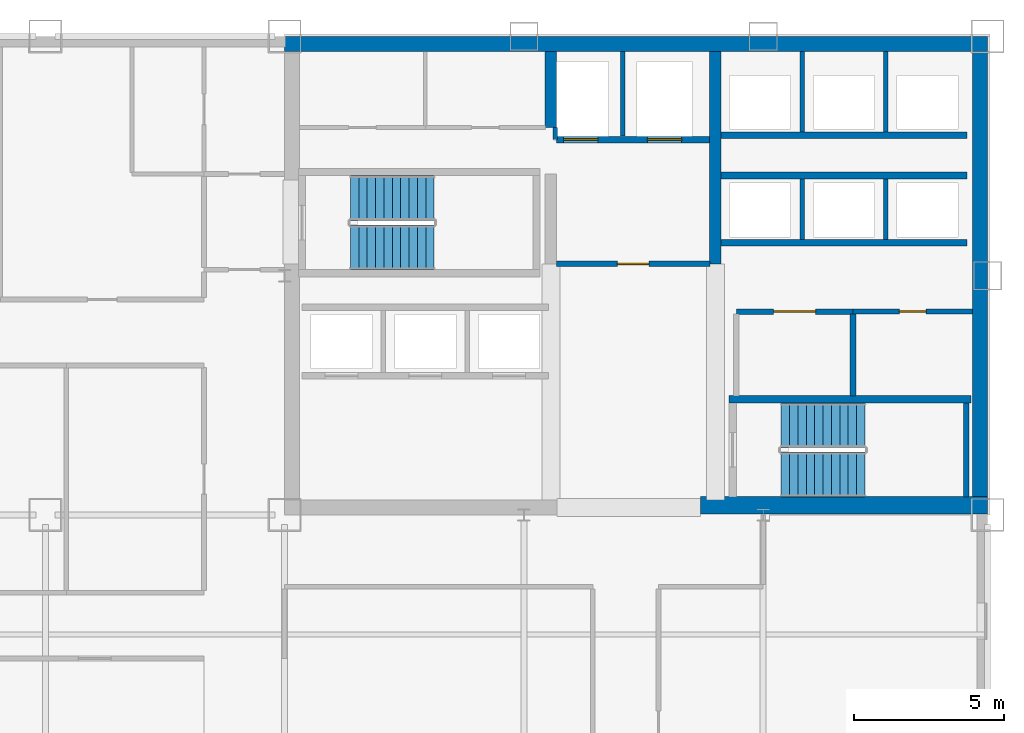
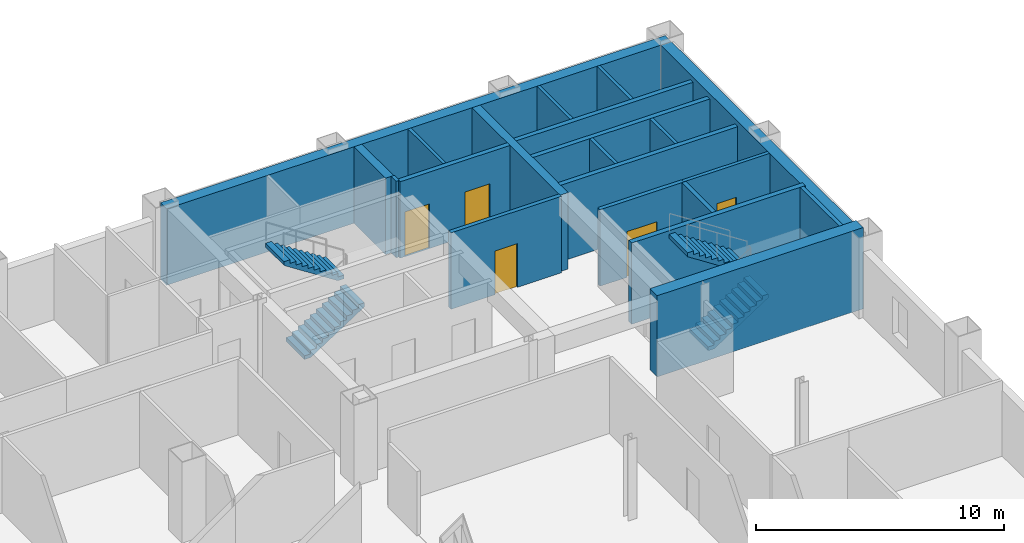
# One storey, part 8 of 10: 21 walls, 5 doors, 4 stair flights, 5 openings, 2 elements without a shape of their own.
"""IFC4 building model written with IfcOpenShell, lengths in metres."""

from ifc_helpers import new_model, si_unit, direction, frame, frame_2d, origin, place, context, subcontext, project, spatial, polyline, rectangle, outline, extrude, material, layer, layer_set, type_object, element, fill, aggregate, save


model = new_model("IFC4")

# Units and contexts
model_context = context("Model", 3, precision=1e-05, world=origin(), true_north=direction((0.0, 1.0)))
body_context = subcontext(model_context, "Body", "Model", "MODEL_VIEW")
ifc_project = project(units=[si_unit("LENGTHUNIT", "METRE"), si_unit("AREAUNIT", "SQUARE_METRE"), si_unit("VOLUMEUNIT", "CUBIC_METRE"), si_unit("PLANEANGLEUNIT", "RADIAN"), si_unit("MASSUNIT", "GRAM", prefix="KILO")], contexts=[model_context])

# Site, building, storey
site_placement = place(None, origin())
site = spatial("IfcSite", under=ifc_project, at=site_placement, CompositionType="ELEMENT")
building_placement = place(site_placement, origin())
building = spatial("IfcBuilding", under=site, at=building_placement, Name="Qianrong Seaharbour Tower", CompositionType="ELEMENT")
storey_placement = place(building_placement, frame((0.0, 0.0, 183.0)))
storey = spatial("IfcBuildingStorey", under=building, at=storey_placement, Name="L44", CompositionType="ELEMENT", Elevation=183.0)

# Walls
ifc_material_1 = material(Name="Concrete C60/75", Category="concrete")
ifc_layer_1 = layer(ifc_material_1, 0.5)
ifc_layer_set_1 = layer_set([ifc_layer_1], Name="Concrete C60/75")
wall_type_1 = type_object("IfcWallType", Name="WALL-CORE-500", PredefinedType="SHEAR", material=ifc_layer_set_1)
wall_1_placement = place(storey_placement, frame((40.5, 51.75, 0.0), z_axis=(0.0, 0.0, 1.0), x_axis=(1.0, 0.0, 0.0)))
element("IfcWall", 1, at=wall_1_placement, inside=storey, type_object=wall_type_1, Name="L44 North Core Shear Wall", PredefinedType="SHEAR", context=body_context, shape_type="SweptSolid", body=[
    extrude(rectangle(XDim=23.5, YDim=0.5, at=frame_2d((11.75, 0.0))), origin(), (0.0, 0.0, 1.0), 3.764892578125),
])
wall_2_placement = place(storey_placement, frame((63.75, 36.320068359375, 0.0), z_axis=(0.0, 0.0, 1.0), x_axis=(0.0, 1.0, 0.0)))
element("IfcWall", 2, at=wall_2_placement, inside=storey, type_object=wall_type_1, Name="L44 East Core Shear Wall", PredefinedType="SHEAR", context=body_context, shape_type="SweptSolid", body=[
    extrude(rectangle(XDim=15.179931640625, YDim=0.5, at=frame_2d((7.58984375, 0.0))), origin(), (0.0, 0.0, 1.0), 3.764892578125),
])
ifc_material_2 = material(Name="Concrete C70/85", Category="concrete")
ifc_layer_2 = layer(ifc_material_2, 0.580078125)
ifc_layer_set_2 = layer_set([ifc_layer_2], Name="Concrete C70/85")
wall_type_2 = type_object("IfcWallType", Name="WALL-CORE-580", PredefinedType="SHEAR", material=ifc_layer_set_2)
wall_3_placement = place(storey_placement, frame((54.39990234375, 36.320068359375, 0.0), z_axis=(0.0, 0.0, 1.0), x_axis=(1.0, 0.0, 0.0)))
element("IfcWall", 3, at=wall_3_placement, inside=storey, type_object=wall_type_2, Name="L44 South Core Shear Wall S3", PredefinedType="SHEAR", context=body_context, shape_type="SweptSolid", body=[
    extrude(rectangle(XDim=9.60009765625, YDim=0.580078125, at=frame_2d((4.800048828125, 0.0))), origin(), (0.0, 0.0, 1.0), 4.0),
])
ifc_layer_3 = layer(ifc_material_1, 0.3798828125)
ifc_layer_set_3 = layer_set([ifc_layer_3], Name="Concrete C60/75")
wall_type_3 = type_object("IfcWallType", Name="WALL-CORE-INT-380", PredefinedType="SHEAR", material=ifc_layer_set_3)
wall_4_placement = place(storey_placement, frame((49.39990234375, 48.949951171875, 0.0), z_axis=(0.0, 0.0, 1.0), x_axis=(0.0, 1.0, 0.0)))
element("IfcWall", 4, at=wall_4_placement, inside=storey, type_object=wall_type_3, Name="L44 Internal Core Shear Wall IW1N2", PredefinedType="SHEAR", context=body_context, shape_type="SweptSolid", body=[
    extrude(rectangle(XDim=2.550048828125, YDim=0.3798828125, at=frame_2d((1.27490234375, 0.0))), origin(), (0.0, 0.0, 1.0), 3.764892578125),
])
wall_5_placement = place(storey_placement, frame((54.89990234375, 44.39990234375, 0.0), z_axis=(0.0, 0.0, 1.0), x_axis=(0.0, 1.0, 0.0)))
element("IfcWall", 5, at=wall_5_placement, inside=storey, type_object=wall_type_3, Name="L44 Internal Core Shear Wall IW2N", PredefinedType="SHEAR", context=body_context, shape_type="SweptSolid", body=[
    extrude(rectangle(XDim=7.10009765625, YDim=0.3798828125, at=frame_2d((3.550048828125, 0.0))), origin(), (0.0, 0.0, 1.0), 3.764892578125),
])

# Wall, opening, door
ifc_material_3 = material(Name="Fire-rated acoustic gypsum board partition")
ifc_layer_4 = layer(ifc_material_3, 0.1650390625)
ifc_layer_set_4 = layer_set([ifc_layer_4], Name="Fire-rated acoustic gypsum board partition")
wall_type_4 = type_object("IfcWallType", Name="WALL-CORR-PART-165", PredefinedType="PARTITIONING", material=ifc_layer_set_4)
wall_6_placement = place(storey_placement, frame((63.5, 42.800048828125, 0.0), z_axis=(0.0, 0.0, 1.0), x_axis=(-1.0, 0.0, 0.0)))
wall_6 = element("IfcWall", 6, at=wall_6_placement, inside=storey, type_object=wall_type_4, Name="L44 Interior Partition Wall 012", PredefinedType="PARTITIONING", context=body_context, shape_type="SweptSolid", body=[
    extrude(rectangle(XDim=4.0, YDim=0.1650390625, at=frame_2d((2.0, 0.0))), origin(), (0.0, 0.0, 1.0), 3.764892578125),
])
opening_1_placement = place(wall_6_placement, frame((1.550048828125, 0.0, 0.0)))
opening_1 = element("IfcOpeningElement", 7, at=opening_1_placement, cuts=wall_6, Name="Opening DS-01", PredefinedType="OPENING", context=body_context, shape_type="SweptSolid", body=[
    extrude(rectangle(XDim=0.89990234375, YDim=2.14990234375, at=frame_2d((0.449951171875, 1.074951171875))), frame((0.0, 0.092529296875, 0.0), z_axis=(0.0, -1.0, 0.0), x_axis=(1.0, 0.0, 0.0)), (0.0, 0.0, 1.0), 0.18505859375),
])
ifc_material_4 = material(Name="Acoustic timber and galvanized steel fire door assembly", Category="steel")
door_type_1 = type_object("IfcDoorType", Name="DOOR-STORE-900x2150", OperationType="NOTDEFINED", PredefinedType="DOOR", material=ifc_material_4)
door_1_placement = place(opening_1_placement, origin())
door_1 = element("IfcDoor", 8, at=door_1_placement, inside=storey, type_object=door_type_1, Name="L44 Cleaner Store Room Door", OperationType="SINGLE_SWING_RIGHT", OverallHeight=2.14990234375, OverallWidth=0.89990234375, PredefinedType="DOOR", context=body_context, shape_type="SweptSolid", body=[
    extrude(rectangle(XDim=0.89990234375, YDim=2.14990234375, at=frame_2d((0.449951171875, 1.074951171875))), frame((0.0, 0.02490234375, 0.0), z_axis=(0.0, -1.0, 0.0), x_axis=(1.0, 0.0, 0.0)), (0.0, 0.0, 1.0), 0.050048828125),
])
fill(opening_1, door_1)

ifc_material_5 = material(Name="Double fire-rated gypsum board acoustic partition")
ifc_layer_5 = layer(ifc_material_5, 0.18994140625)
ifc_layer_set_5 = layer_set([ifc_layer_5], Name="Double fire-rated gypsum board acoustic partition")
wall_type_5 = type_object("IfcWallType", Name="WALL-FIRE-PART-190", PredefinedType="PARTITIONING", material=ifc_layer_set_5)
wall_7_placement = place(storey_placement, frame((54.718017578125, 44.39990234375, 0.0), z_axis=(0.0, 0.0, 1.0), x_axis=(-1.0, 0.0, 0.0)))
wall_7 = element("IfcWall", 9, at=wall_7_placement, inside=storey, type_object=wall_type_5, Name="L44 Interior Partition Wall 009", PredefinedType="PARTITIONING", context=body_context, shape_type="SweptSolid", body=[
    extrude(rectangle(XDim=5.135986328125, YDim=0.18994140625, at=frame_2d((2.56787109375, 0.0))), origin(), (0.0, 0.0, 1.0), 3.764892578125),
])
opening_2_placement = place(wall_7_placement, frame((2.04296875, 0.0, 0.0)))
opening_2 = element("IfcOpeningElement", 10, at=opening_2_placement, cuts=wall_7, Name="Opening DC-01", PredefinedType="OPENING", context=body_context, shape_type="SweptSolid", body=[
    extrude(rectangle(XDim=1.050048828125, YDim=2.14990234375, at=frame_2d((0.52490234375, 1.074951171875))), frame((0.0, 0.10498046875, 0.0), z_axis=(0.0, -1.0, 0.0), x_axis=(1.0, 0.0, 0.0)), (0.0, 0.0, 1.0), 0.2099609375),
])
door_type_2 = type_object("IfcDoorType", Name="DOOR-CORR-FD60-1050x2150", OperationType="NOTDEFINED", PredefinedType="DOOR", material=ifc_material_4)
door_2_placement = place(opening_2_placement, origin())
door_2 = element("IfcDoor", 11, at=door_2_placement, inside=storey, type_object=door_type_2, Name="L44 Firefighting Lift Lobby Door", OperationType="SINGLE_SWING_LEFT", OverallHeight=2.14990234375, OverallWidth=1.050048828125, PredefinedType="DOOR", context=body_context, shape_type="SweptSolid", body=[
    extrude(rectangle(XDim=1.050048828125, YDim=2.14990234375, at=frame_2d((0.52490234375, 1.074951171875))), frame((0.0, 0.02490234375, 0.0), z_axis=(0.0, -1.0, 0.0), x_axis=(1.0, 0.0, 0.0)), (0.0, 0.0, 1.0), 0.050048828125),
])
fill(opening_2, door_2)

wall_8_placement = place(storey_placement, frame((59.5, 42.800048828125, 0.0), z_axis=(0.0, 0.0, 1.0), x_axis=(-1.0, 0.0, 0.0)))
wall_8 = element("IfcWall", 12, at=wall_8_placement, inside=storey, type_object=wall_type_5, Name="L44 Interior Partition Wall 011", PredefinedType="PARTITIONING", context=body_context, shape_type="SweptSolid", body=[
    extrude(rectangle(XDim=3.89990234375, YDim=0.18994140625, at=frame_2d((1.949951171875, 0.0))), origin(), (0.0, 0.0, 1.0), 3.764892578125),
])
opening_3_placement = place(wall_8_placement, frame((1.25, 0.0, 0.0)))
opening_3 = element("IfcOpeningElement", 13, at=opening_3_placement, cuts=wall_8, Name="Opening DP-01", PredefinedType="OPENING", context=body_context, shape_type="SweptSolid", body=[
    extrude(rectangle(XDim=1.39990234375, YDim=2.25, at=frame_2d((0.699951171875, 1.125))), frame((0.0, 0.10498046875, 0.0), z_axis=(0.0, -1.0, 0.0), x_axis=(1.0, 0.0, 0.0)), (0.0, 0.0, 1.0), 0.2099609375),
])
door_type_3 = type_object("IfcDoorType", Name="DOOR-PLANT-PAIR-1400x2250", OperationType="DOUBLE_DOOR_SINGLE_SWING", PredefinedType="DOOR", material=ifc_material_4)
door_3_placement = place(opening_3_placement, origin())
door_3 = element("IfcDoor", 14, at=door_3_placement, inside=storey, type_object=door_type_3, Name="L44 Electrical Substation Door", OperationType="DOUBLE_DOOR_SINGLE_SWING", OverallHeight=2.25, OverallWidth=1.39990234375, PredefinedType="DOOR", context=body_context, shape_type="SweptSolid", body=[
    extrude(rectangle(XDim=1.39990234375, YDim=2.25, at=frame_2d((0.699951171875, 1.125))), frame((0.0, 0.02490234375, 0.0), z_axis=(0.0, -1.0, 0.0), x_axis=(1.0, 0.0, 0.0)), (0.0, 0.0, 1.0), 0.050048828125),
])
fill(opening_3, door_3)

# Walls
wall_9_placement = place(storey_placement, frame((59.5, 42.712890625, 0.0), z_axis=(0.0, 0.0, 1.0), x_axis=(0.0, -1.0, 0.0)))
element("IfcWall", 15, at=wall_9_placement, inside=storey, type_object=wall_type_5, Name="L44 Interior Partition Wall 014", PredefinedType="PARTITIONING", context=body_context, shape_type="SweptSolid", body=[
    extrude(rectangle(XDim=2.73095703125, YDim=0.18994140625, at=frame_2d((1.365478515625, 0.0))), origin(), (0.0, 0.0, 1.0), 3.764892578125),
])
ifc_material_6 = material(Name="Fire-rated gypsum board on steel studs", Category="steel")
ifc_layer_6 = layer(ifc_material_6, 0.14990234375)
ifc_layer_set_6 = layer_set([ifc_layer_6], Name="Fire-rated gypsum board on steel studs")
wall_type_6 = type_object("IfcWallType", Name="WALL-SHAFT-DIV-150", PredefinedType="PARTITIONING", material=ifc_layer_set_6)
wall_10_placement = place(storey_placement, frame((51.800048828125, 48.669921875, 0.0), z_axis=(0.0, 0.0, 1.0), x_axis=(0.0, 1.0, 0.0)))
element("IfcWall", 16, at=wall_10_placement, inside=storey, type_object=wall_type_6, Name="L44 Firefighting Lift Shaft Divider Wall", PredefinedType="PARTITIONING", context=body_context, shape_type="SweptSolid", body=[
    extrude(rectangle(XDim=2.830078125, YDim=0.14990234375, at=frame_2d((1.4150390625, 0.0))), origin(), (0.0, 0.0, 1.0), 3.764892578125),
])
wall_11_placement = place(storey_placement, frame((49.550048828125, 48.550048828125, 0.0), z_axis=(0.0, 0.0, 1.0), x_axis=(0.0, 1.0, 0.0)))
element("IfcWall", 17, at=wall_11_placement, inside=storey, type_object=wall_type_6, Name="L44 Firefighting Lift Shaft West Return Wall", PredefinedType="PARTITIONING", context=body_context, shape_type="SweptSolid", body=[
    extrude(rectangle(XDim=0.39990234375, YDim=0.14990234375, at=frame_2d((0.199951171875, 0.0))), origin(), (0.0, 0.0, 1.0), 3.764892578125),
])
for number, where, z_axis, x_axis, name in (
    (18, (57.800048828125, 45.2099609375, 0.0), (0.0, 0.0, 1.0), (0.0, 1.0, 0.0), "L44 P3 Lift Hoistway Divider 2"),
    (19, (60.60009765625, 45.2099609375, 0.0), (0.0, 0.0, 1.0), (0.0, 1.0, 0.0), "L44 P3 Lift Hoistway Divider 3"),
):
    element("IfcWall", number, at=place(storey_placement, frame(where, z_axis=z_axis, x_axis=x_axis)), inside=storey, type_object=wall_type_6, Name=name, PredefinedType="PARTITIONING", context=body_context, shape_type="SweptSolid", body=[
        extrude(rectangle(XDim=2.030029296875, YDim=0.14990234375, at=frame_2d((1.01513671875, 0.0))), origin(), (0.0, 0.0, 1.0), 3.764892578125),
    ])
for number, where, z_axis, x_axis, name in (
    (20, (57.800048828125, 48.81005859375, 0.0), (0.0, 0.0, 1.0), (0.0, 1.0, 0.0), "L44 P4 Lift Hoistway Divider 2"),
    (21, (60.60009765625, 48.81005859375, 0.0), (0.0, 0.0, 1.0), (0.0, 1.0, 0.0), "L44 P4 Lift Hoistway Divider 3"),
):
    element("IfcWall", number, at=place(storey_placement, frame(where, z_axis=z_axis, x_axis=x_axis)), inside=storey, type_object=wall_type_6, Name=name, PredefinedType="PARTITIONING", context=body_context, shape_type="SweptSolid", body=[
        extrude(rectangle(XDim=2.68994140625, YDim=0.14990234375, at=frame_2d((1.344970703125, 0.0))), origin(), (0.0, 0.0, 1.0), 3.764892578125),
    ])

# Wall, openings, doors
ifc_layer_7 = layer(ifc_material_6, 0.219970703125)
ifc_layer_set_7 = layer_set([ifc_layer_7], Name="Fire-rated gypsum board on steel studs")
wall_type_7 = type_object("IfcWallType", Name="WALL-SHAFT-GYP220", PredefinedType="PARTITIONING", material=ifc_layer_set_7)
wall_12_placement = place(storey_placement, frame((54.7099609375, 48.550048828125, 0.0), z_axis=(0.0, 0.0, 1.0), x_axis=(-1.0, 0.0, 0.0)))
wall_12 = element("IfcWall", 22, at=wall_12_placement, inside=storey, type_object=wall_type_7, Name="L44 Firefighting Lift Shaft Front Wall", PredefinedType="PARTITIONING", context=body_context, shape_type="SweptSolid", body=[
    extrude(rectangle(XDim=5.119873046875, YDim=0.219970703125, at=frame_2d((2.56005859375, 0.0))), origin(), (0.0, 0.0, 1.0), 3.764892578125),
])
opening_4_placement = place(wall_12_placement, frame((3.735107421875, 0.0, 0.0)))
opening_4 = element("IfcOpeningElement", 23, at=opening_4_placement, cuts=wall_12, Name="Opening LD-01", PredefinedType="OPENING", context=body_context, shape_type="SweptSolid", body=[
    extrude(rectangle(XDim=1.14990234375, YDim=2.199951171875, at=frame_2d((0.574951171875, 1.10009765625))), frame((0.0, 0.1201171875, 0.0), z_axis=(0.0, -1.0, 0.0), x_axis=(1.0, 0.0, 0.0)), (0.0, 0.0, 1.0), 0.239990234375),
])
opening_5_placement = place(wall_12_placement, frame((0.93505859375, 0.0, 0.0)))
opening_5 = element("IfcOpeningElement", 24, at=opening_5_placement, cuts=wall_12, Name="Opening LD-01", PredefinedType="OPENING", context=body_context, shape_type="SweptSolid", body=[
    extrude(rectangle(XDim=1.14990234375, YDim=2.199951171875, at=frame_2d((0.574951171875, 1.10009765625))), frame((0.0, 0.1201171875, 0.0), z_axis=(0.0, -1.0, 0.0), x_axis=(1.0, 0.0, 0.0)), (0.0, 0.0, 1.0), 0.239990234375),
])
ifc_material_7 = material(Name="Stainless steel SUS316L bi-parting lift landing door", Category="steel")
door_type_4 = type_object("IfcDoorType", Name="DOOR-LIFT-FF-1150x2200", OperationType="DOUBLE_DOOR_SLIDING", PredefinedType="DOOR", material=ifc_material_7)
door_4_placement = place(opening_4_placement, origin())
door_4 = element("IfcDoor", 25, at=door_4_placement, inside=storey, type_object=door_type_4, Name="L44 FL-1 Firefighting Lift Landing Door", OperationType="DOUBLE_DOOR_SLIDING", OverallHeight=2.199951171875, OverallWidth=1.14990234375, PredefinedType="DOOR", context=body_context, shape_type="SweptSolid", body=[
    extrude(rectangle(XDim=1.14990234375, YDim=2.199951171875, at=frame_2d((0.574951171875, 1.10009765625))), frame((0.0, 0.02490234375, 0.0), z_axis=(0.0, -1.0, 0.0), x_axis=(1.0, 0.0, 0.0)), (0.0, 0.0, 1.0), 0.050048828125),
])
fill(opening_4, door_4)
door_5_placement = place(opening_5_placement, origin())
door_5 = element("IfcDoor", 26, at=door_5_placement, inside=storey, type_object=door_type_4, Name="L44 FL-2 Firefighting Lift Landing Door", OperationType="DOUBLE_DOOR_SLIDING", OverallHeight=2.199951171875, OverallWidth=1.14990234375, PredefinedType="DOOR", context=body_context, shape_type="SweptSolid", body=[
    extrude(rectangle(XDim=1.14990234375, YDim=2.199951171875, at=frame_2d((0.574951171875, 1.10009765625))), frame((0.0, 0.02490234375, 0.0), z_axis=(0.0, -1.0, 0.0), x_axis=(1.0, 0.0, 0.0)), (0.0, 0.0, 1.0), 0.050048828125),
])
fill(opening_5, door_5)

# Walls
for number, where, z_axis, x_axis, name in (
    (27, (63.320068359375, 45.10009765625, 0.0), (0.0, 0.0, 1.0), (-1.0, 0.0, 0.0), "L44 P3 Lift Hoistway Front Wall"),
    (28, (55.080078125, 47.35009765625, 0.0), (0.0, 0.0, 1.0), (1.0, 0.0, 0.0), "L44 P3 Lift Hoistway Back Wall"),
    (29, (63.320068359375, 48.699951171875, 0.0), (0.0, 0.0, 1.0), (-1.0, 0.0, 0.0), "L44 P4 Lift Hoistway Front Wall"),
):
    element("IfcWall", number, at=place(storey_placement, frame(where, z_axis=z_axis, x_axis=x_axis)), inside=storey, type_object=wall_type_7, Name=name, PredefinedType="PARTITIONING", context=body_context, shape_type="SweptSolid", body=[
        extrude(rectangle(XDim=8.239990234375, YDim=0.219970703125, at=frame_2d((4.1201171875, 0.0))), origin(), (0.0, 0.0, 1.0), 3.764892578125),
    ])
ifc_material_8 = material(Name="Concrete C50/60", Category="concrete")
ifc_layer_8 = layer(ifc_material_8, 0.239990234375)
ifc_layer_set_8 = layer_set([ifc_layer_8], Name="Concrete C50/60")
wall_type_8 = type_object("IfcWallType", Name="WALL-SHAFT-RC240", PredefinedType="SOLIDWALL", material=ifc_layer_set_8)
wall_13_placement = place(storey_placement, frame((55.360107421875, 39.8701171875, 0.0), z_axis=(0.0, 0.0, 1.0), x_axis=(1.0, 0.0, 0.0)))
element("IfcWall", 30, at=wall_13_placement, inside=storey, type_object=wall_type_8, Name="L44 ST-2 Structural Stair Core Wall N", PredefinedType="SOLIDWALL", context=body_context, shape_type="SweptSolid", body=[
    extrude(rectangle(XDim=8.079833984375, YDim=0.239990234375, at=frame_2d((4.0400390625, 0.0))), origin(), (0.0, 0.0, 1.0), 4.0),
])
wall_14_placement = place(storey_placement, frame((63.2900390625, 36.60009765625, 0.0), z_axis=(0.0, 0.0, 1.0), x_axis=(0.0, 1.0, 0.0)))
element("IfcWall", 31, at=wall_14_placement, inside=storey, type_object=wall_type_8, Name="L44 ST-2 Structural Stair Core Wall E", PredefinedType="SOLIDWALL", context=body_context, shape_type="SweptSolid", body=[
    extrude(rectangle(XDim=3.14990234375, YDim=0.179931640625, at=frame_2d((1.574951171875, 0.0))), origin(), (0.0, 0.0, 1.0), 4.0),
])

# Stair, stair flights
stair_type = type_object("IfcStairType", Name="STAIR-DOGLEG-1500-R22", PredefinedType="HALF_TURN_STAIR", material=ifc_material_8)
stair_1_placement = place(storey_placement, origin())
stair_1 = element("IfcStair", 32, at=stair_1_placement, inside=storey, type_object=stair_type, Name="L44 Protected Escape Stair ST-1", PredefinedType="HALF_TURN_STAIR")
stair_flight_type = type_object("IfcStairFlightType", Name="FLIGHT-STR-1500-R22", PredefinedType="STRAIGHT", material=ifc_material_8)
stair_flight_1_placement = place(storey_placement, frame((42.699951171875, 44.949951171875, 0.0), z_axis=(0.0, 0.0, 1.0), x_axis=(1.0, 0.0, 0.0)))
stair_flight_1 = element("IfcStairFlight", 33, at=stair_flight_1_placement, type_object=stair_flight_type, Name="ST-1 flight 1", NumberOfRisers=11, NumberOfTreads=10, PredefinedType="STRAIGHT", RiserHeight=0.181818182, TreadLength=0.28, context=body_context, shape_type="SweptSolid", body=[
    extrude(outline(polyline([(0.0, 0.0), (0.0, 0.181884765625), (0.280029296875, 0.181884765625), (0.280029296875, 0.363525390625), (0.56005859375, 0.363525390625), (0.56005859375, 0.54541015625), (0.840087890625, 0.54541015625), (0.840087890625, 0.727294921875), (1.1201171875, 0.727294921875), (1.1201171875, 0.9091796875), (1.39990234375, 0.9091796875), (1.39990234375, 1.0908203125), (1.679931640625, 1.0908203125), (1.679931640625, 1.272705078125), (1.9599609375, 1.272705078125), (1.9599609375, 1.45458984375), (2.239990234375, 1.45458984375), (2.239990234375, 1.636474609375), (2.52001953125, 1.636474609375), (2.52001953125, 1.818115234375), (2.800048828125, 1.818115234375), (2.800048828125, 2.0), (2.800048828125, 1.62744140625), (0.293701171875, 0.0), (0.0, 0.0)])), frame((0.0, 0.75, 0.0), z_axis=(0.0, -1.0, 0.0), x_axis=(1.0, 0.0, 0.0)), (0.0, 0.0, 1.0), 1.5),
])
stair_flight_2_placement = place(storey_placement, frame((45.5, 46.60009765625, 2.0), z_axis=(0.0, 0.0, 1.0), x_axis=(-1.0, 0.0, 0.0)))
stair_flight_2 = element("IfcStairFlight", 34, at=stair_flight_2_placement, type_object=stair_flight_type, Name="ST-1 flight 2", NumberOfRisers=11, NumberOfTreads=10, PredefinedType="STRAIGHT", RiserHeight=0.181818182, TreadLength=0.28, context=body_context, shape_type="SweptSolid", body=[
    extrude(outline(polyline([(0.0, 0.0), (0.0, 0.181884765625), (0.280029296875, 0.181884765625), (0.280029296875, 0.363525390625), (0.56005859375, 0.363525390625), (0.56005859375, 0.54541015625), (0.840087890625, 0.54541015625), (0.840087890625, 0.727294921875), (1.1201171875, 0.727294921875), (1.1201171875, 0.9091796875), (1.39990234375, 0.9091796875), (1.39990234375, 1.0908203125), (1.679931640625, 1.0908203125), (1.679931640625, 1.272705078125), (1.9599609375, 1.272705078125), (1.9599609375, 1.45458984375), (2.239990234375, 1.45458984375), (2.239990234375, 1.636474609375), (2.52001953125, 1.636474609375), (2.52001953125, 1.818115234375), (2.800048828125, 1.818115234375), (2.800048828125, 2.0), (2.800048828125, 1.62744140625), (0.293701171875, 0.0), (0.0, 0.0)])), frame((0.0, 0.75, 0.0), z_axis=(0.0, -1.0, 0.0), x_axis=(1.0, 0.0, 0.0)), (0.0, 0.0, 1.0), 1.5),
])
aggregate(stair_1, [stair_flight_1, stair_flight_2])

stair_2_placement = place(storey_placement, origin())
stair_2 = element("IfcStair", 35, at=stair_2_placement, inside=storey, type_object=stair_type, Name="L44 Protected Escape Stair ST-2", PredefinedType="HALF_TURN_STAIR")
stair_flight_3_placement = place(storey_placement, frame((57.10009765625, 37.35009765625, 0.0), z_axis=(0.0, 0.0, 1.0), x_axis=(1.0, 0.0, 0.0)))
stair_flight_3 = element("IfcStairFlight", 36, at=stair_flight_3_placement, type_object=stair_flight_type, Name="ST-2 flight 1", NumberOfRisers=11, NumberOfTreads=10, PredefinedType="STRAIGHT", RiserHeight=0.181818182, TreadLength=0.28, context=body_context, shape_type="SweptSolid", body=[
    extrude(outline(polyline([(0.0, 0.0), (0.0, 0.181884765625), (0.280029296875, 0.181884765625), (0.280029296875, 0.363525390625), (0.56005859375, 0.363525390625), (0.56005859375, 0.54541015625), (0.840087890625, 0.54541015625), (0.840087890625, 0.727294921875), (1.1201171875, 0.727294921875), (1.1201171875, 0.9091796875), (1.39990234375, 0.9091796875), (1.39990234375, 1.0908203125), (1.679931640625, 1.0908203125), (1.679931640625, 1.272705078125), (1.9599609375, 1.272705078125), (1.9599609375, 1.45458984375), (2.239990234375, 1.45458984375), (2.239990234375, 1.636474609375), (2.52001953125, 1.636474609375), (2.52001953125, 1.818115234375), (2.800048828125, 1.818115234375), (2.800048828125, 2.0), (2.800048828125, 1.62744140625), (0.293701171875, 0.0), (0.0, 0.0)])), frame((0.0, 0.75, 0.0), z_axis=(0.0, -1.0, 0.0), x_axis=(1.0, 0.0, 0.0)), (0.0, 0.0, 1.0), 1.5),
])
stair_flight_4_placement = place(storey_placement, frame((59.89990234375, 39.0, 2.0), z_axis=(0.0, 0.0, 1.0), x_axis=(-1.0, 0.0, 0.0)))
stair_flight_4 = element("IfcStairFlight", 37, at=stair_flight_4_placement, type_object=stair_flight_type, Name="ST-2 flight 2", NumberOfRisers=11, NumberOfTreads=10, PredefinedType="STRAIGHT", RiserHeight=0.181818182, TreadLength=0.28, context=body_context, shape_type="SweptSolid", body=[
    extrude(outline(polyline([(0.0, 0.0), (0.0, 0.181884765625), (0.280029296875, 0.181884765625), (0.280029296875, 0.363525390625), (0.56005859375, 0.363525390625), (0.56005859375, 0.54541015625), (0.840087890625, 0.54541015625), (0.840087890625, 0.727294921875), (1.1201171875, 0.727294921875), (1.1201171875, 0.9091796875), (1.39990234375, 0.9091796875), (1.39990234375, 1.0908203125), (1.679931640625, 1.0908203125), (1.679931640625, 1.272705078125), (1.9599609375, 1.272705078125), (1.9599609375, 1.45458984375), (2.239990234375, 1.45458984375), (2.239990234375, 1.636474609375), (2.52001953125, 1.636474609375), (2.52001953125, 1.818115234375), (2.800048828125, 1.818115234375), (2.800048828125, 2.0), (2.800048828125, 1.62744140625), (0.293701171875, 0.0), (0.0, 0.0)])), frame((0.0, 0.75, 0.0), z_axis=(0.0, -1.0, 0.0), x_axis=(1.0, 0.0, 0.0)), (0.0, 0.0, 1.0), 1.5),
])
aggregate(stair_2, [stair_flight_3, stair_flight_4])

save(model, "model.ifc")
